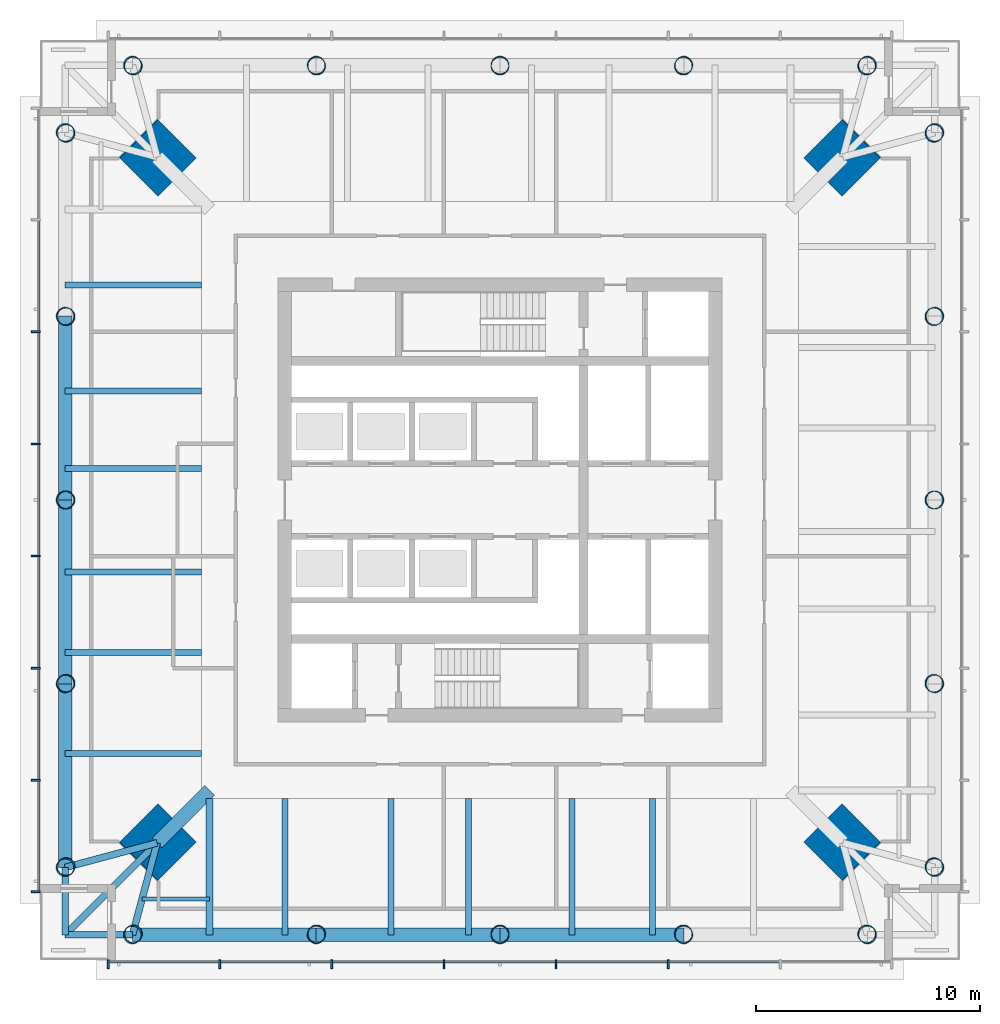
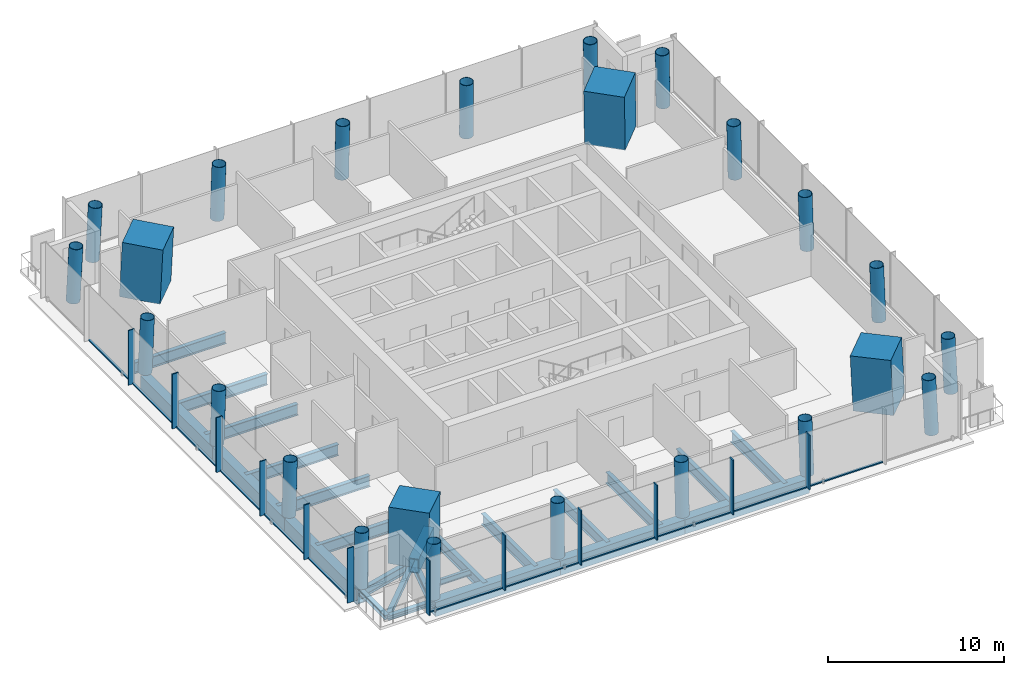
# One storey, part 1 of 12: 31 members, 24 columns, 18 beams, 2 elements without a shape of their own.
"""IFC4 building model written with IfcOpenShell, lengths in metres."""

from ifc_helpers import new_model, si_unit, direction, frame, origin, origin_2d, place, context, subcontext, project, spatial, rectangle, hollow_rectangle, hollow_circle, i_section, extrude, material, material_profile, profile_set, type_object, element, aggregate, save


model = new_model("IFC4")

# Units and contexts
model_context = context("Model", 3, precision=1e-05, world=origin(), true_north=direction((0.0, 1.0)))
body_context = subcontext(model_context, "Body", "Model", "MODEL_VIEW")
ifc_project = project(units=[si_unit("LENGTHUNIT", "METRE"), si_unit("AREAUNIT", "SQUARE_METRE"), si_unit("VOLUMEUNIT", "CUBIC_METRE"), si_unit("PLANEANGLEUNIT", "RADIAN"), si_unit("MASSUNIT", "GRAM", prefix="KILO")], contexts=[model_context])

# Site, building, storey
site_placement = place(None, origin())
site = spatial("IfcSite", under=ifc_project, at=site_placement, CompositionType="ELEMENT")
building_placement = place(site_placement, origin())
building = spatial("IfcBuilding", under=site, at=building_placement, Name="Ostroluk Exchange", CompositionType="ELEMENT")
storey_placement = place(building_placement, frame((0.0, 0.0, 165.39990234375)))
storey = spatial("IfcBuildingStorey", under=building, at=storey_placement, Name="L42", CompositionType="ELEMENT", Elevation=165.39990234375)

# Columns
ifc_material_1 = material(Name="Concrete C50/60", Category="concrete")
ifc_material_profile_1 = material_profile(ifc_material_1, rectangle(XDim=2.39990234375, YDim=2.39990234375, at=origin_2d()), Name="RC 2400x2400")
ifc_profile_set_1 = profile_set([ifc_material_profile_1], Name="Concrete C50/60")
column_type_1 = type_object("IfcColumnType", Name="Mega column RC 2400x2400", PredefinedType="COLUMN", material=ifc_profile_set_1)
for number, where, z_axis, x_axis, name in (
    (1, (60.28564453125, 61.28564453125, 0.0), (-0.031898107953, -0.031898107953, 0.998981992539), (0.707106781187, -0.707106781187, 0.0), "T1 mega column NE"),
    (2, (29.71435546875, 61.28564453125, 0.0), (0.031898107953, -0.031898107953, 0.998981992539), (0.707106781187, 0.707106781187, 0.0), "T1 mega column NW"),
    (3, (29.71435546875, 30.71435546875, 0.0), (0.031898107953, 0.031898107953, 0.998981992539), (-0.707106781187, 0.707106781187, 0.0), "T1 mega column SW"),
    (4, (60.28564453125, 30.71435546875, 0.0), (-0.031898107953, 0.031898107953, 0.998981992539), (-0.707106781187, -0.707106781187, 0.0), "T1 mega column SE"),
):
    element("IfcColumn", number, at=place(storey_placement, frame(where, z_axis=z_axis, x_axis=x_axis)), inside=storey, type_object=column_type_1, Name=name, PredefinedType="COLUMN", context=body_context, shape_type="SweptSolid", body=[
        extrude(rectangle(XDim=2.39990234375, YDim=2.39990234375, at=origin_2d()), origin(), (0.0, 0.0, 1.0), 3.803955078125),
    ])
ifc_material_2 = material(Name="Steel S460", Category="steel")
ifc_material_profile_2 = material_profile(ifc_material_2, hollow_circle(Radius=0.406494140625, WallThickness=0.030029296875, at=origin_2d()), Name="CHS 813x30")
ifc_profile_set_2 = profile_set([ifc_material_profile_2], Name="Steel S460")
column_type_2 = type_object("IfcColumnType", Name="Perimeter column CHS 813x30", PredefinedType="COLUMN", material=ifc_profile_set_2)
for number, where, z_axis, x_axis, name in (
    (5, (64.3857421875, 29.6142578125, 0.0), (-0.031898107953, 0.031898107953, 0.998981992539), (-0.707106781187, -0.707106781187, 0.0), "T1 east face column E0"),
    (6, (64.3857421875, 62.3857421875, 0.0), (-0.031898107953, -0.031898107953, 0.998981992539), (0.707106781187, -0.707106781187, 0.0), "T1 east face column E1"),
):
    element("IfcColumn", number, at=place(storey_placement, frame(where, z_axis=z_axis, x_axis=x_axis)), inside=storey, type_object=column_type_2, Name=name, PredefinedType="COLUMN", context=body_context, shape_type="SweptSolid", body=[
        extrude(hollow_circle(Radius=0.406494140625, WallThickness=0.030029296875, at=origin_2d()), origin(), (0.0, 0.0, 1.0), 3.803955078125),
    ])
column_1_placement = place(storey_placement, frame((64.3857421875, 37.80712890625, 0.0), z_axis=(-0.031910269556, 0.015987237665, 0.999362868496), x_axis=(-0.447933021895, -0.894067115991, 0.0)))
element("IfcColumn", 7, at=column_1_placement, inside=storey, type_object=column_type_2, Name="T1 east face column I1", PredefinedType="COLUMN", context=body_context, shape_type="SweptSolid", body=[
    extrude(hollow_circle(Radius=0.406494140625, WallThickness=0.030029296875, at=origin_2d()), origin(), (0.0, 0.0, 1.0), 3.802490234375),
])
column_2_placement = place(storey_placement, frame((64.3857421875, 46.0, 0.0), z_axis=(-0.031914348339, 0.0, 0.999490607445), x_axis=(0.0, -1.0, 0.0)))
element("IfcColumn", 8, at=column_2_placement, inside=storey, type_object=column_type_2, Name="T1 east face column I2", PredefinedType="COLUMN", context=body_context, shape_type="SweptSolid", body=[
    extrude(hollow_circle(Radius=0.406494140625, WallThickness=0.030029296875, at=origin_2d()), origin(), (0.0, 0.0, 1.0), 3.802001953125),
])
column_3_placement = place(storey_placement, frame((64.3857421875, 54.19287109375, 0.0), z_axis=(-0.031910269556, -0.015987237665, 0.999362868496), x_axis=(0.447933021895, -0.894067115991, 0.0)))
element("IfcColumn", 9, at=column_3_placement, inside=storey, type_object=column_type_2, Name="T1 east face column I3", PredefinedType="COLUMN", context=body_context, shape_type="SweptSolid", body=[
    extrude(hollow_circle(Radius=0.406494140625, WallThickness=0.030029296875, at=origin_2d()), origin(), (0.0, 0.0, 1.0), 3.802490234375),
])
for number, where, z_axis, x_axis, name in (
    (10, (61.3857421875, 65.3857421875, 0.0), (-0.031898107953, -0.031898107953, 0.998981992539), (0.707106781187, -0.707106781187, 0.0), "T1 north face column E0"),
    (11, (28.6142578125, 65.3857421875, 0.0), (0.031898107953, -0.031898107953, 0.998981992539), (0.707106781187, 0.707106781187, 0.0), "T1 north face column E1"),
):
    element("IfcColumn", number, at=place(storey_placement, frame(where, z_axis=z_axis, x_axis=x_axis)), inside=storey, type_object=column_type_2, Name=name, PredefinedType="COLUMN", context=body_context, shape_type="SweptSolid", body=[
        extrude(hollow_circle(Radius=0.406494140625, WallThickness=0.030029296875, at=origin_2d()), origin(), (0.0, 0.0, 1.0), 3.803955078125),
    ])
column_4_placement = place(storey_placement, frame((53.19287109375, 65.3857421875, 0.0), z_axis=(-0.015987237665, -0.031910269556, 0.999362868496), x_axis=(0.894067115991, -0.447933021895, 0.0)))
element("IfcColumn", 12, at=column_4_placement, inside=storey, type_object=column_type_2, Name="T1 north face column I1", PredefinedType="COLUMN", context=body_context, shape_type="SweptSolid", body=[
    extrude(hollow_circle(Radius=0.406494140625, WallThickness=0.030029296875, at=origin_2d()), origin(), (0.0, 0.0, 1.0), 3.802490234375),
])
column_5_placement = place(storey_placement, frame((45.0, 65.3857421875, 0.0), z_axis=(0.0, -0.031914348339, 0.999490607445), x_axis=(1.0, 0.0, 0.0)))
element("IfcColumn", 13, at=column_5_placement, inside=storey, type_object=column_type_2, Name="T1 north face column I2", PredefinedType="COLUMN", context=body_context, shape_type="SweptSolid", body=[
    extrude(hollow_circle(Radius=0.406494140625, WallThickness=0.030029296875, at=origin_2d()), origin(), (0.0, 0.0, 1.0), 3.802001953125),
])
column_6_placement = place(storey_placement, frame((36.80712890625, 65.3857421875, 0.0), z_axis=(0.015987237665, -0.031910269556, 0.999362868496), x_axis=(0.894067115991, 0.447933021895, 0.0)))
element("IfcColumn", 14, at=column_6_placement, inside=storey, type_object=column_type_2, Name="T1 north face column I3", PredefinedType="COLUMN", context=body_context, shape_type="SweptSolid", body=[
    extrude(hollow_circle(Radius=0.406494140625, WallThickness=0.030029296875, at=origin_2d()), origin(), (0.0, 0.0, 1.0), 3.802490234375),
])
for number, where, z_axis, x_axis, name in (
    (15, (25.6142578125, 62.3857421875, 0.0), (0.031898107953, -0.031898107953, 0.998981992539), (0.707106781187, 0.707106781187, 0.0), "T1 west face column E0"),
    (16, (25.6142578125, 29.6142578125, 0.0), (0.031898107953, 0.031898107953, 0.998981992539), (-0.707106781187, 0.707106781187, 0.0), "T1 west face column E1"),
):
    element("IfcColumn", number, at=place(storey_placement, frame(where, z_axis=z_axis, x_axis=x_axis)), inside=storey, type_object=column_type_2, Name=name, PredefinedType="COLUMN", context=body_context, shape_type="SweptSolid", body=[
        extrude(hollow_circle(Radius=0.406494140625, WallThickness=0.030029296875, at=origin_2d()), origin(), (0.0, 0.0, 1.0), 3.803955078125),
    ])
column_7_placement = place(storey_placement, frame((25.6142578125, 54.19287109375, 0.0), z_axis=(0.031910269556, -0.015987237665, 0.999362868496), x_axis=(0.447933021895, 0.894067115991, 0.0)))
element("IfcColumn", 17, at=column_7_placement, inside=storey, type_object=column_type_2, Name="T1 west face column I1", PredefinedType="COLUMN", context=body_context, shape_type="SweptSolid", body=[
    extrude(hollow_circle(Radius=0.406494140625, WallThickness=0.030029296875, at=origin_2d()), origin(), (0.0, 0.0, 1.0), 3.802490234375),
])
column_8_placement = place(storey_placement, frame((25.6142578125, 46.0, 0.0), z_axis=(0.031914348339, 0.0, 0.999490607445), x_axis=(0.0, 1.0, 0.0)))
element("IfcColumn", 18, at=column_8_placement, inside=storey, type_object=column_type_2, Name="T1 west face column I2", PredefinedType="COLUMN", context=body_context, shape_type="SweptSolid", body=[
    extrude(hollow_circle(Radius=0.406494140625, WallThickness=0.030029296875, at=origin_2d()), origin(), (0.0, 0.0, 1.0), 3.802001953125),
])
column_9_placement = place(storey_placement, frame((25.6142578125, 37.80712890625, 0.0), z_axis=(0.031910269556, 0.015987237665, 0.999362868496), x_axis=(-0.447933021895, 0.894067115991, 0.0)))
element("IfcColumn", 19, at=column_9_placement, inside=storey, type_object=column_type_2, Name="T1 west face column I3", PredefinedType="COLUMN", context=body_context, shape_type="SweptSolid", body=[
    extrude(hollow_circle(Radius=0.406494140625, WallThickness=0.030029296875, at=origin_2d()), origin(), (0.0, 0.0, 1.0), 3.802490234375),
])
for number, where, z_axis, x_axis, name in (
    (20, (28.6142578125, 26.6142578125, 0.0), (0.031898107953, 0.031898107953, 0.998981992539), (-0.707106781187, 0.707106781187, 0.0), "T1 south face column E0"),
    (21, (61.3857421875, 26.6142578125, 0.0), (-0.031898107953, 0.031898107953, 0.998981992539), (-0.707106781187, -0.707106781187, 0.0), "T1 south face column E1"),
):
    element("IfcColumn", number, at=place(storey_placement, frame(where, z_axis=z_axis, x_axis=x_axis)), inside=storey, type_object=column_type_2, Name=name, PredefinedType="COLUMN", context=body_context, shape_type="SweptSolid", body=[
        extrude(hollow_circle(Radius=0.406494140625, WallThickness=0.030029296875, at=origin_2d()), origin(), (0.0, 0.0, 1.0), 3.803955078125),
    ])
column_10_placement = place(storey_placement, frame((36.80712890625, 26.6142578125, 0.0), z_axis=(0.015987237665, 0.031910269556, 0.999362868496), x_axis=(-0.894067115991, 0.447933021895, 0.0)))
element("IfcColumn", 22, at=column_10_placement, inside=storey, type_object=column_type_2, Name="T1 south face column I1", PredefinedType="COLUMN", context=body_context, shape_type="SweptSolid", body=[
    extrude(hollow_circle(Radius=0.406494140625, WallThickness=0.030029296875, at=origin_2d()), origin(), (0.0, 0.0, 1.0), 3.802490234375),
])
column_11_placement = place(storey_placement, frame((45.0, 26.6142578125, 0.0), z_axis=(0.0, 0.031914348339, 0.999490607445), x_axis=(-1.0, 0.0, 0.0)))
element("IfcColumn", 23, at=column_11_placement, inside=storey, type_object=column_type_2, Name="T1 south face column I2", PredefinedType="COLUMN", context=body_context, shape_type="SweptSolid", body=[
    extrude(hollow_circle(Radius=0.406494140625, WallThickness=0.030029296875, at=origin_2d()), origin(), (0.0, 0.0, 1.0), 3.802001953125),
])
column_12_placement = place(storey_placement, frame((53.19287109375, 26.6142578125, 0.0), z_axis=(-0.015987237665, 0.031910269556, 0.999362868496), x_axis=(-0.894067115991, -0.447933021895, 0.0)))
element("IfcColumn", 24, at=column_12_placement, inside=storey, type_object=column_type_2, Name="T1 south face column I3", PredefinedType="COLUMN", context=body_context, shape_type="SweptSolid", body=[
    extrude(hollow_circle(Radius=0.406494140625, WallThickness=0.030029296875, at=origin_2d()), origin(), (0.0, 0.0, 1.0), 3.802490234375),
])

# Beams
ifc_material_3 = material(Name="Steel S355", Category="steel")
ifc_material_profile_3 = material_profile(ifc_material_3, i_section(OverallWidth=0.300048828125, OverallDepth=0.300048828125, WebThickness=0.010986328125, FlangeThickness=0.01904296875, FilletRadius=0.027099609375, at=origin_2d()), Name="HEB 300")
ifc_profile_set_3 = profile_set([ifc_material_profile_3], Name="Steel S355")
beam_type_1 = type_object("IfcBeamType", Name="Balcony beam HEB 300", PredefinedType="BEAM", material=ifc_profile_set_3)
for number, where, z_axis, x_axis, name in (
    (25, (25.6142578125, 29.6142578125, -0.349853515625), (0.0, -1.0, 0.0), (1.0, 0.0, 0.0), "T1 west balcony beam a"),
    (26, (28.6142578125, 26.6142578125, -0.349853515625), (-1.0, 0.0, 0.0), (0.0, -1.0, 0.0), "T1 west balcony beam b"),
):
    element("IfcBeam", number, at=place(storey_placement, frame(where, z_axis=z_axis, x_axis=x_axis)), inside=storey, type_object=beam_type_1, Name=name, PredefinedType="BEAM", context=body_context, shape_type="SweptSolid", body=[
        extrude(i_section(OverallWidth=0.300048828125, OverallDepth=0.300048828125, WebThickness=0.010986328125, FlangeThickness=0.01904296875, FilletRadius=0.027099609375, at=origin_2d()), origin(), (0.0, 0.0, 1.0), 3.0),
    ])
beam_1_placement = place(storey_placement, frame((29.71435546875, 30.71435546875, -0.349853515625), z_axis=(-0.707106781187, -0.707106781187, 0.0), x_axis=(0.707106781187, -0.707106781187, 0.0)))
element("IfcBeam", 27, at=beam_1_placement, inside=storey, type_object=beam_type_1, Name="T1 west balcony beam c", PredefinedType="BEAM", context=body_context, shape_type="SweptSolid", body=[
    extrude(i_section(OverallWidth=0.300048828125, OverallDepth=0.300048828125, WebThickness=0.010986328125, FlangeThickness=0.01904296875, FilletRadius=0.027099609375, at=origin_2d()), origin(), (0.0, 0.0, 1.0), 5.79833984375),
])

# Members
ifc_material_4 = material(Name="Steel S460", Category="steel")
ifc_material_profile_4 = material_profile(ifc_material_4, hollow_rectangle(XDim=0.60009765625, YDim=1.0, WallThickness=0.06005859375, at=origin_2d()), Name="BOX 600x1000x60")
ifc_profile_set_4 = profile_set([ifc_material_profile_4], Name="Steel S460")
member_type_1 = type_object("IfcMemberType", Name="Belt truss chord BOX 600x1000x60", PredefinedType="CHORD", material=ifc_profile_set_4)
for number, where, z_axis, x_axis, name in (
    (28, (25.6142578125, 54.19287109375, -0.699951171875), (0.0, -1.0, 0.0), (1.0, 0.0, 0.0), "Belt truss 2 west chord 3.2"),
    (29, (25.6142578125, 46.0, -0.699951171875), (0.0, -1.0, 0.0), (1.0, 0.0, 0.0), "Belt truss 2 west chord 3.3"),
    (30, (25.6142578125, 37.80712890625, -0.699951171875), (0.0, -1.0, 0.0), (1.0, 0.0, 0.0), "Belt truss 2 west chord 3.4"),
    (31, (28.6142578125, 26.6142578125, -0.699951171875), (1.0, 0.0, 0.0), (0.0, 1.0, 0.0), "Belt truss 2 south chord 3.1"),
    (32, (36.80712890625, 26.6142578125, -0.699951171875), (1.0, 0.0, 0.0), (0.0, 1.0, 0.0), "Belt truss 2 south chord 3.2"),
    (33, (45.0, 26.6142578125, -0.699951171875), (1.0, 0.0, 0.0), (0.0, 1.0, 0.0), "Belt truss 2 south chord 3.3"),
):
    element("IfcMember", number, at=place(storey_placement, frame(where, z_axis=z_axis, x_axis=x_axis)), inside=storey, type_object=member_type_1, Name=name, PredefinedType="CHORD", context=body_context, shape_type="SweptSolid", body=[
        extrude(hollow_rectangle(XDim=0.60009765625, YDim=1.0, WallThickness=0.06005859375, at=origin_2d()), origin(), (0.0, 0.0, 1.0), 8.19287109375),
    ])

# Beams
ifc_material_5 = material(Name="Steel S355", Category="steel")
ifc_material_profile_5 = material_profile(ifc_material_5, i_section(OverallWidth=0.300048828125, OverallDepth=0.60009765625, WebThickness=0.015380859375, FlangeThickness=0.030029296875, FilletRadius=0.027099609375, at=origin_2d()), Name="HEB 600")
ifc_profile_set_5 = profile_set([ifc_material_profile_5], Name="Steel S355")
beam_type_2 = type_object("IfcBeamType", Name="Corner edge beam HEB 600", PredefinedType="SPANDREL", material=ifc_profile_set_5)
for number, where, z_axis, x_axis, name in (
    (34, (29.71435546875, 30.71435546875, -0.5), (-0.965838624319, -0.259144268261, 0.0), (0.259144268261, -0.965838624319, 0.0), "T1 west corner edge beam a"),
    (35, (29.71435546875, 30.71435546875, -0.5), (-0.259144268261, -0.965838624319, 0.0), (0.965838624319, -0.259144268261, 0.0), "T1 west corner edge beam b"),
):
    element("IfcBeam", number, at=place(storey_placement, frame(where, z_axis=z_axis, x_axis=x_axis)), inside=storey, type_object=beam_type_2, Name=name, PredefinedType="SPANDREL", context=body_context, shape_type="SweptSolid", body=[
        extrude(i_section(OverallWidth=0.300048828125, OverallDepth=0.60009765625, WebThickness=0.015380859375, FlangeThickness=0.030029296875, FilletRadius=0.027099609375, at=origin_2d()), origin(), (0.0, 0.0, 1.0), 4.2451171875),
    ])
ifc_material_6 = material(Name="Steel S355", Category="steel")
ifc_material_profile_6 = material_profile(ifc_material_6, i_section(OverallWidth=0.179931640625, OverallDepth=0.39990234375, WebThickness=0.008544921875, FlangeThickness=0.013427734375, FilletRadius=0.02099609375, at=origin_2d()), Name="IPE 400")
ifc_profile_set_6 = profile_set([ifc_material_profile_6], Name="Steel S355")
beam_type_3 = type_object("IfcBeamType", Name="Floor beam IPE 400", PredefinedType="BEAM", material=ifc_profile_set_6)
beam_2_placement = place(storey_placement, frame((32.050048828125, 28.21435546875, -0.39990234375), z_axis=(-1.0, 0.0, 0.0), x_axis=(0.0, -1.0, 0.0)))
element("IfcBeam", 36, at=beam_2_placement, inside=storey, type_object=beam_type_3, Name="T1 west floor beam 7", PredefinedType="BEAM", context=body_context, shape_type="SweptSolid", body=[
    extrude(i_section(OverallWidth=0.179931640625, OverallDepth=0.39990234375, WebThickness=0.008544921875, FlangeThickness=0.013427734375, FilletRadius=0.02099609375, at=origin_2d()), origin(), (0.0, 0.0, 1.0), 3.006591796875),
])
ifc_material_7 = material(Name="Steel S355", Category="steel")
ifc_material_profile_7 = material_profile(ifc_material_7, i_section(OverallWidth=0.26806640625, OverallDepth=0.77001953125, WebThickness=0.015625, FlangeThickness=0.025390625, FilletRadius=0.01708984375, at=origin_2d()), Name="IPE 750x196")
ifc_profile_set_7 = profile_set([ifc_material_profile_7], Name="Steel S355")
beam_type_4 = type_object("IfcBeamType", Name="Floor beam IPE 750x196", PredefinedType="BEAM", material=ifc_profile_set_7)
for number, where, z_axis, x_axis, name in (
    (37, (31.699951171875, 55.5927734375, -0.5849609375), (-1.0, 0.0, 0.0), (0.0, -1.0, 0.0), "T1 west floor beam 1"),
    (38, (31.699951171875, 50.865966796875, -0.5849609375), (-1.0, 0.0, 0.0), (0.0, -1.0, 0.0), "T1 west floor beam 2"),
    (39, (31.699951171875, 47.39990234375, -0.5849609375), (-1.0, 0.0, 0.0), (0.0, -1.0, 0.0), "T1 west floor beam 3"),
    (40, (31.699951171875, 42.7822265625, -0.5849609375), (-1.0, 0.0, 0.0), (0.0, -1.0, 0.0), "T1 west floor beam 4"),
    (41, (31.699951171875, 39.20703125, -0.5849609375), (-1.0, 0.0, 0.0), (0.0, -1.0, 0.0), "T1 west floor beam 5"),
    (42, (31.699951171875, 34.6982421875, -0.5849609375), (-1.0, 0.0, 0.0), (0.0, -1.0, 0.0), "T1 west floor beam 6"),
    (43, (35.4072265625, 32.699951171875, -0.5849609375), (0.0, -1.0, 0.0), (1.0, 0.0, 0.0), "T1 south floor beam 1"),
    (44, (40.134033203125, 32.699951171875, -0.5849609375), (0.0, -1.0, 0.0), (1.0, 0.0, 0.0), "T1 south floor beam 2"),
    (45, (43.60009765625, 32.699951171875, -0.5849609375), (0.0, -1.0, 0.0), (1.0, 0.0, 0.0), "T1 south floor beam 3"),
    (46, (48.2177734375, 32.699951171875, -0.5849609375), (0.0, -1.0, 0.0), (1.0, 0.0, 0.0), "T1 south floor beam 4"),
    (47, (51.79296875, 32.699951171875, -0.5849609375), (0.0, -1.0, 0.0), (1.0, 0.0, 0.0), "T1 south floor beam 5"),
):
    element("IfcBeam", number, at=place(storey_placement, frame(where, z_axis=z_axis, x_axis=x_axis)), inside=storey, type_object=beam_type_4, Name=name, PredefinedType="BEAM", context=body_context, shape_type="SweptSolid", body=[
        extrude(i_section(OverallWidth=0.26806640625, OverallDepth=0.77001953125, WebThickness=0.015625, FlangeThickness=0.025390625, FilletRadius=0.01708984375, at=origin_2d()), origin(), (0.0, 0.0, 1.0), 6.085693359375),
    ])
ifc_material_8 = material(Name="Steel S355", Category="steel")
ifc_material_profile_8 = material_profile(ifc_material_8, i_section(OverallWidth=0.300048828125, OverallDepth=0.699951171875, WebThickness=0.01708984375, FlangeThickness=0.031982421875, FilletRadius=0.027099609375, at=origin_2d()), Name="HEB 700")
ifc_profile_set_8 = profile_set([ifc_material_profile_8], Name="Steel S355")
beam_type_5 = type_object("IfcBeamType", Name="Girder HEB 700", PredefinedType="BEAM", material=ifc_profile_set_8)
beam_3_placement = place(storey_placement, frame((32.050048828125, 32.699951171875, -0.5498046875), z_axis=(0.0, -1.0, 0.0), x_axis=(1.0, 0.0, 0.0)))
element("IfcBeam", 48, at=beam_3_placement, inside=storey, type_object=beam_type_5, Name="T1 west girder", PredefinedType="BEAM", context=body_context, shape_type="SweptSolid", body=[
    extrude(i_section(OverallWidth=0.300048828125, OverallDepth=0.699951171875, WebThickness=0.01708984375, FlangeThickness=0.031982421875, FilletRadius=0.027099609375, at=origin_2d()), origin(), (0.0, 0.0, 1.0), 6.085693359375),
])

# Member
ifc_material_9 = material(Name="Steel S460", Category="steel")
ifc_material_profile_9 = material_profile(ifc_material_9, hollow_rectangle(XDim=0.60009765625, YDim=1.0, WallThickness=0.06005859375, at=origin_2d()), Name="BOX 600x1000x60")
ifc_profile_set_9 = profile_set([ifc_material_profile_9], Name="Steel S460")
member_type_2 = type_object("IfcMemberType", Name="Outrigger chord BOX 600x1000x60", PredefinedType="CHORD", material=ifc_profile_set_9)
member_1_placement = place(storey_placement, frame((32.050048828125, 33.050048828125, -0.699951171875), z_axis=(-0.707106781187, -0.707106781187, 0.0), x_axis=(0.707106781187, -0.707106781187, 0.0)))
element("IfcMember", 49, at=member_1_placement, inside=storey, type_object=member_type_2, Name="Outrigger 2 SW chord 3", PredefinedType="CHORD", context=body_context, shape_type="SweptSolid", body=[
    extrude(hollow_rectangle(XDim=0.60009765625, YDim=1.0, WallThickness=0.06005859375, at=origin_2d()), origin(), (0.0, 0.0, 1.0), 3.30322265625),
])

# Curtain wall, members
ifc_material_10 = material(Name="Laminated clear glass", Category="glass")
curtain_wall_type = type_object("IfcCurtainWallType", Name="Office tower plant and sky lobby facade", PredefinedType="USERDEFINED", material=ifc_material_10)
curtain_wall_1_placement = place(storey_placement, origin())
curtain_wall_1 = element("IfcCurtainWall", 50, at=curtain_wall_1_placement, inside=storey, type_object=curtain_wall_type, Name="Office tower south facade L42", ObjectType="LOUVRED CURTAIN WALL", PredefinedType="USERDEFINED")
ifc_material_11 = material(Name="Aluminium mullion", Category="aluminium")
ifc_material_profile_10 = material_profile(ifc_material_11, rectangle(XDim=0.14990234375, YDim=0.080078125, at=origin_2d()), Name="Sill transom 80 x 150")
ifc_profile_set_10 = profile_set([ifc_material_profile_10], Name="Aluminium mullion")
member_type_3 = type_object("IfcMemberType", Name="Sill transom 80 x 150", PredefinedType="USERDEFINED", material=ifc_profile_set_10)
member_2_placement = place(storey_placement, frame((27.580078125, 25.425048828125, 0.0400390625), z_axis=(1.0, 0.0, 0.0), x_axis=(0.0, 1.0, 0.0)))
member_2 = element("IfcMember", 51, at=member_2_placement, type_object=member_type_3, Name="CW-P1 transom 1.1", ObjectType="TRANSOM", PredefinedType="USERDEFINED", context=body_context, shape_type="SweptSolid", body=[
    extrude(rectangle(XDim=0.14990234375, YDim=0.080078125, at=origin_2d()), origin(), (0.0, 0.0, 1.0), 4.8798828125),
])
member_3_placement = place(storey_placement, frame((32.5400390625, 25.425048828125, 0.0400390625), z_axis=(1.0, 0.0, 0.0), x_axis=(0.0, 1.0, 0.0)))
member_3 = element("IfcMember", 52, at=member_3_placement, type_object=member_type_3, Name="CW-P1 transom 2.1", ObjectType="TRANSOM", PredefinedType="USERDEFINED", context=body_context, shape_type="SweptSolid", body=[
    extrude(rectangle(XDim=0.14990234375, YDim=0.080078125, at=origin_2d()), origin(), (0.0, 0.0, 1.0), 4.919921875),
])
member_4_placement = place(storey_placement, frame((37.5400390625, 25.425048828125, 0.0400390625), z_axis=(1.0, 0.0, 0.0), x_axis=(0.0, 1.0, 0.0)))
member_4 = element("IfcMember", 53, at=member_4_placement, type_object=member_type_3, Name="CW-P1 transom 3.1", ObjectType="TRANSOM", PredefinedType="USERDEFINED", context=body_context, shape_type="SweptSolid", body=[
    extrude(rectangle(XDim=0.14990234375, YDim=0.080078125, at=origin_2d()), origin(), (0.0, 0.0, 1.0), 4.919921875),
])
member_5_placement = place(storey_placement, frame((42.5400390625, 25.425048828125, 0.0400390625), z_axis=(1.0, 0.0, 0.0), x_axis=(0.0, 1.0, 0.0)))
member_5 = element("IfcMember", 54, at=member_5_placement, type_object=member_type_3, Name="CW-P1 transom 4.1", ObjectType="TRANSOM", PredefinedType="USERDEFINED", context=body_context, shape_type="SweptSolid", body=[
    extrude(rectangle(XDim=0.14990234375, YDim=0.080078125, at=origin_2d()), origin(), (0.0, 0.0, 1.0), 4.919921875),
])
member_6_placement = place(storey_placement, frame((47.5400390625, 25.425048828125, 0.0400390625), z_axis=(1.0, 0.0, 0.0), x_axis=(0.0, 1.0, 0.0)))
member_6 = element("IfcMember", 55, at=member_6_placement, type_object=member_type_3, Name="CW-P1 transom 5.1", ObjectType="TRANSOM", PredefinedType="USERDEFINED", context=body_context, shape_type="SweptSolid", body=[
    extrude(rectangle(XDim=0.14990234375, YDim=0.080078125, at=origin_2d()), origin(), (0.0, 0.0, 1.0), 4.919921875),
])
member_7_placement = place(storey_placement, frame((52.5400390625, 25.425048828125, 0.0400390625), z_axis=(1.0, 0.0, 0.0), x_axis=(0.0, 1.0, 0.0)))
member_7 = element("IfcMember", 56, at=member_7_placement, type_object=member_type_3, Name="CW-P1 transom 6.1", ObjectType="TRANSOM", PredefinedType="USERDEFINED", context=body_context, shape_type="SweptSolid", body=[
    extrude(rectangle(XDim=0.14990234375, YDim=0.080078125, at=origin_2d()), origin(), (0.0, 0.0, 1.0), 4.919921875),
])

curtain_wall_2_placement = place(storey_placement, origin())
curtain_wall_2 = element("IfcCurtainWall", 57, at=curtain_wall_2_placement, inside=storey, type_object=curtain_wall_type, Name="Office tower west facade L42", ObjectType="LOUVRED CURTAIN WALL", PredefinedType="USERDEFINED")
member_8_placement = place(storey_placement, frame((24.425048828125, 58.4599609375, 0.0400390625), z_axis=(0.0, -1.0, 0.0), x_axis=(1.0, 0.0, 0.0)))
member_8 = element("IfcMember", 58, at=member_8_placement, type_object=member_type_3, Name="CW-P1 transom 2.1", ObjectType="TRANSOM", PredefinedType="USERDEFINED", context=body_context, shape_type="SweptSolid", body=[
    extrude(rectangle(XDim=0.14990234375, YDim=0.080078125, at=origin_2d()), origin(), (0.0, 0.0, 1.0), 4.919921875),
])
member_9_placement = place(storey_placement, frame((24.425048828125, 53.4599609375, 0.0400390625), z_axis=(0.0, -1.0, 0.0), x_axis=(1.0, 0.0, 0.0)))
member_9 = element("IfcMember", 59, at=member_9_placement, type_object=member_type_3, Name="CW-P1 transom 3.1", ObjectType="TRANSOM", PredefinedType="USERDEFINED", context=body_context, shape_type="SweptSolid", body=[
    extrude(rectangle(XDim=0.14990234375, YDim=0.080078125, at=origin_2d()), origin(), (0.0, 0.0, 1.0), 4.919921875),
])
member_10_placement = place(storey_placement, frame((24.425048828125, 48.4599609375, 0.0400390625), z_axis=(0.0, -1.0, 0.0), x_axis=(1.0, 0.0, 0.0)))
member_10 = element("IfcMember", 60, at=member_10_placement, type_object=member_type_3, Name="CW-P1 transom 4.1", ObjectType="TRANSOM", PredefinedType="USERDEFINED", context=body_context, shape_type="SweptSolid", body=[
    extrude(rectangle(XDim=0.14990234375, YDim=0.080078125, at=origin_2d()), origin(), (0.0, 0.0, 1.0), 4.919921875),
])
member_11_placement = place(storey_placement, frame((24.425048828125, 43.4599609375, 0.0400390625), z_axis=(0.0, -1.0, 0.0), x_axis=(1.0, 0.0, 0.0)))
member_11 = element("IfcMember", 61, at=member_11_placement, type_object=member_type_3, Name="CW-P1 transom 5.1", ObjectType="TRANSOM", PredefinedType="USERDEFINED", context=body_context, shape_type="SweptSolid", body=[
    extrude(rectangle(XDim=0.14990234375, YDim=0.080078125, at=origin_2d()), origin(), (0.0, 0.0, 1.0), 4.919921875),
])
member_12_placement = place(storey_placement, frame((24.425048828125, 38.4599609375, 0.0400390625), z_axis=(0.0, -1.0, 0.0), x_axis=(1.0, 0.0, 0.0)))
member_12 = element("IfcMember", 62, at=member_12_placement, type_object=member_type_3, Name="CW-P1 transom 6.1", ObjectType="TRANSOM", PredefinedType="USERDEFINED", context=body_context, shape_type="SweptSolid", body=[
    extrude(rectangle(XDim=0.14990234375, YDim=0.080078125, at=origin_2d()), origin(), (0.0, 0.0, 1.0), 4.919921875),
])
member_13_placement = place(storey_placement, frame((24.425048828125, 33.4599609375, 0.0400390625), z_axis=(0.0, -1.0, 0.0), x_axis=(1.0, 0.0, 0.0)))
member_13 = element("IfcMember", 63, at=member_13_placement, type_object=member_type_3, Name="CW-P1 transom 7.1", ObjectType="TRANSOM", PredefinedType="USERDEFINED", context=body_context, shape_type="SweptSolid", body=[
    extrude(rectangle(XDim=0.14990234375, YDim=0.080078125, at=origin_2d()), origin(), (0.0, 0.0, 1.0), 4.8798828125),
])

# Member
ifc_material_12 = material(Name="Aluminium mullion with limestone facing", Category="masonry")
ifc_material_profile_11 = material_profile(ifc_material_12, rectangle(XDim=0.39990234375, YDim=0.080078125, at=origin_2d()), Name="Tracery mullion 80 x 400")
ifc_profile_set_11 = profile_set([ifc_material_profile_11], Name="Aluminium mullion with limestone facing")
member_type_4 = type_object("IfcMemberType", Name="Tracery mullion 80 x 400", PredefinedType="MULLION", material=ifc_profile_set_11)
member_14_placement = place(storey_placement, frame((27.5400390625, 25.300048828125, 0.0), z_axis=(0.0, 0.0, 1.0), x_axis=(0.0, 1.0, 0.0)))
member_14 = element("IfcMember", 64, at=member_14_placement, type_object=member_type_4, Name="CW-P1 mullion 1", PredefinedType="MULLION", context=body_context, shape_type="SweptSolid", body=[
    extrude(rectangle(XDim=0.39990234375, YDim=0.080078125, at=origin_2d()), origin(), (0.0, 0.0, 1.0), 3.800048828125),
])

member_15_placement = place(storey_placement, frame((32.5, 25.300048828125, 0.0), z_axis=(0.0, 0.0, 1.0), x_axis=(0.0, 1.0, 0.0)))
member_15 = element("IfcMember", 65, at=member_15_placement, type_object=member_type_4, Name="CW-P1 mullion 2", PredefinedType="MULLION", context=body_context, shape_type="SweptSolid", body=[
    extrude(rectangle(XDim=0.39990234375, YDim=0.080078125, at=origin_2d()), origin(), (0.0, 0.0, 1.0), 3.800048828125),
])

member_16_placement = place(storey_placement, frame((37.5, 25.300048828125, 0.0), z_axis=(0.0, 0.0, 1.0), x_axis=(0.0, 1.0, 0.0)))
member_16 = element("IfcMember", 66, at=member_16_placement, type_object=member_type_4, Name="CW-P1 mullion 3", PredefinedType="MULLION", context=body_context, shape_type="SweptSolid", body=[
    extrude(rectangle(XDim=0.39990234375, YDim=0.080078125, at=origin_2d()), origin(), (0.0, 0.0, 1.0), 3.800048828125),
])

member_17_placement = place(storey_placement, frame((42.5, 25.300048828125, 0.0), z_axis=(0.0, 0.0, 1.0), x_axis=(0.0, 1.0, 0.0)))
member_17 = element("IfcMember", 67, at=member_17_placement, type_object=member_type_4, Name="CW-P1 mullion 4", PredefinedType="MULLION", context=body_context, shape_type="SweptSolid", body=[
    extrude(rectangle(XDim=0.39990234375, YDim=0.080078125, at=origin_2d()), origin(), (0.0, 0.0, 1.0), 3.800048828125),
])

member_18_placement = place(storey_placement, frame((47.5, 25.300048828125, 0.0), z_axis=(0.0, 0.0, 1.0), x_axis=(0.0, 1.0, 0.0)))
member_18 = element("IfcMember", 68, at=member_18_placement, type_object=member_type_4, Name="CW-P1 mullion 5", PredefinedType="MULLION", context=body_context, shape_type="SweptSolid", body=[
    extrude(rectangle(XDim=0.39990234375, YDim=0.080078125, at=origin_2d()), origin(), (0.0, 0.0, 1.0), 3.800048828125),
])

member_19_placement = place(storey_placement, frame((52.5, 25.300048828125, 0.0), z_axis=(0.0, 0.0, 1.0), x_axis=(0.0, 1.0, 0.0)))
member_19 = element("IfcMember", 69, at=member_19_placement, type_object=member_type_4, Name="CW-P1 mullion 6", PredefinedType="MULLION", context=body_context, shape_type="SweptSolid", body=[
    extrude(rectangle(XDim=0.39990234375, YDim=0.080078125, at=origin_2d()), origin(), (0.0, 0.0, 1.0), 3.800048828125),
])

aggregate(curtain_wall_1, [member_14, member_15, member_16, member_17, member_18, member_19, member_2, member_3, member_4, member_5, member_6, member_7])

member_20_placement = place(storey_placement, frame((24.300048828125, 53.5, 0.0), z_axis=(0.0, 0.0, 1.0), x_axis=(1.0, 0.0, 0.0)))
member_20 = element("IfcMember", 70, at=member_20_placement, type_object=member_type_4, Name="CW-P1 mullion 3", PredefinedType="MULLION", context=body_context, shape_type="SweptSolid", body=[
    extrude(rectangle(XDim=0.39990234375, YDim=0.080078125, at=origin_2d()), origin(), (0.0, 0.0, 1.0), 3.800048828125),
])

member_21_placement = place(storey_placement, frame((24.300048828125, 48.5, 0.0), z_axis=(0.0, 0.0, 1.0), x_axis=(1.0, 0.0, 0.0)))
member_21 = element("IfcMember", 71, at=member_21_placement, type_object=member_type_4, Name="CW-P1 mullion 4", PredefinedType="MULLION", context=body_context, shape_type="SweptSolid", body=[
    extrude(rectangle(XDim=0.39990234375, YDim=0.080078125, at=origin_2d()), origin(), (0.0, 0.0, 1.0), 3.800048828125),
])

member_22_placement = place(storey_placement, frame((24.300048828125, 43.5, 0.0), z_axis=(0.0, 0.0, 1.0), x_axis=(1.0, 0.0, 0.0)))
member_22 = element("IfcMember", 72, at=member_22_placement, type_object=member_type_4, Name="CW-P1 mullion 5", PredefinedType="MULLION", context=body_context, shape_type="SweptSolid", body=[
    extrude(rectangle(XDim=0.39990234375, YDim=0.080078125, at=origin_2d()), origin(), (0.0, 0.0, 1.0), 3.800048828125),
])

member_23_placement = place(storey_placement, frame((24.300048828125, 38.5, 0.0), z_axis=(0.0, 0.0, 1.0), x_axis=(1.0, 0.0, 0.0)))
member_23 = element("IfcMember", 73, at=member_23_placement, type_object=member_type_4, Name="CW-P1 mullion 6", PredefinedType="MULLION", context=body_context, shape_type="SweptSolid", body=[
    extrude(rectangle(XDim=0.39990234375, YDim=0.080078125, at=origin_2d()), origin(), (0.0, 0.0, 1.0), 3.800048828125),
])

member_24_placement = place(storey_placement, frame((24.300048828125, 33.5, 0.0), z_axis=(0.0, 0.0, 1.0), x_axis=(1.0, 0.0, 0.0)))
member_24 = element("IfcMember", 74, at=member_24_placement, type_object=member_type_4, Name="CW-P1 mullion 7", PredefinedType="MULLION", context=body_context, shape_type="SweptSolid", body=[
    extrude(rectangle(XDim=0.39990234375, YDim=0.080078125, at=origin_2d()), origin(), (0.0, 0.0, 1.0), 3.800048828125),
])

member_25_placement = place(storey_placement, frame((24.300048828125, 28.5400390625, 0.0), z_axis=(0.0, 0.0, 1.0), x_axis=(1.0, 0.0, 0.0)))
member_25 = element("IfcMember", 75, at=member_25_placement, type_object=member_type_4, Name="CW-P1 mullion 8", PredefinedType="MULLION", context=body_context, shape_type="SweptSolid", body=[
    extrude(rectangle(XDim=0.39990234375, YDim=0.080078125, at=origin_2d()), origin(), (0.0, 0.0, 1.0), 3.800048828125),
])

aggregate(curtain_wall_2, [member_20, member_21, member_22, member_23, member_24, member_25, member_8, member_9, member_10, member_11, member_12, member_13])

save(model, "model.ifc")
